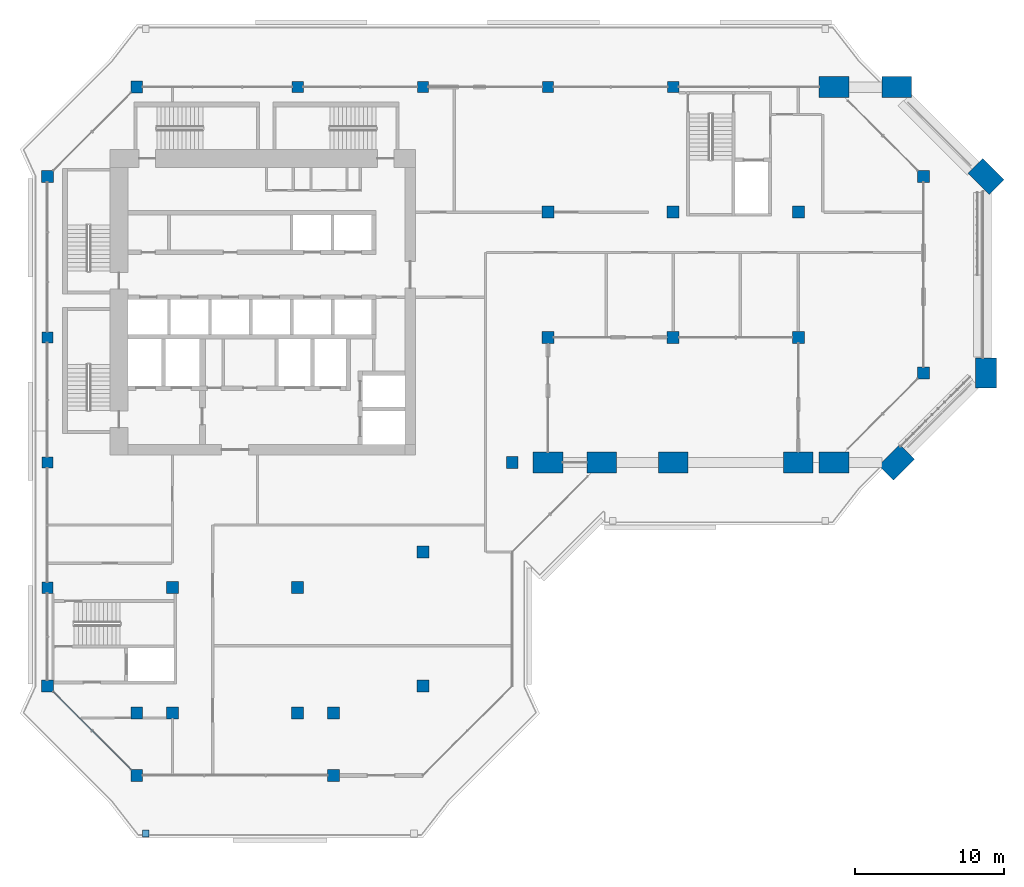
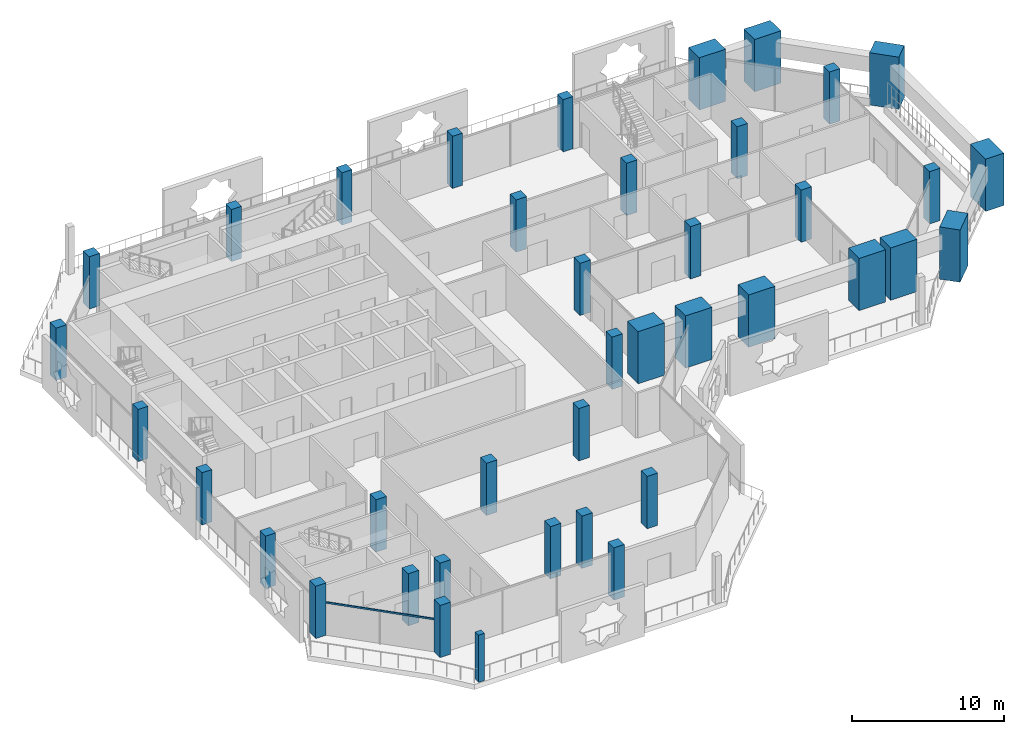
# One storey, part 1 of 20: 39 columns, 2 members, 2 elements without a shape of their own.
"""IFC4 building model written with IfcOpenShell, lengths in metres."""

import ifcopenshell
import ifcopenshell.guid

model = None  # the IFC model being written
_history = None  # IfcOwnerHistory: only IFC2X3 demands one
_inside = {}  # id of a spatial element -> (the spatial element, [elements in it])
_under = {}  # id of a project, library or spatial element -> (it, [spatial elements below it])
_declared = {}  # id of a project -> (the project, [libraries it declares])
_typed = {}  # id of a type object -> (the type object, [elements of that type])
_made_of = {}  # id of a material, layer set ... -> (it, [elements and type objects made of it])


def new_model(schema):
    """Start an empty IFC model of exactly this schema.

    Asked for "IFC4X3", IfcOpenShell would pick the latest addendum, in which some entities
    have other attributes; the version numbers below select the first issue.
    IFC2X3 requires an IfcOwnerHistory on every rooted entity: one is made here for all.
    """
    global model, _history
    if schema == "IFC4X3":
        model = ifcopenshell.file(schema_version=(4, 3, 0, 0))
    else:
        model = ifcopenshell.file(schema=schema)
    _inside.clear()
    _under.clear()
    _declared.clear()
    _typed.clear()
    _made_of.clear()
    _history = None
    if model.schema == "IFC2X3":
        org = make("IfcOrganization", Name="unknown")
        user = make(
            "IfcPersonAndOrganization",
            ThePerson=make("IfcPerson", FamilyName="unknown"),
            TheOrganization=org,
        )
        app = make(
            "IfcApplication",
            ApplicationDeveloper=org,
            Version="unknown",
            ApplicationFullName="unknown",
            ApplicationIdentifier="unknown",
        )
        _history = make(
            "IfcOwnerHistory",
            OwningUser=user,
            OwningApplication=app,
            ChangeAction="ADDED",
            CreationDate=0,
        )
    return model


def make(cls, **values):
    """One entity of the class cls with the attributes given. An attribute that is None is left unset."""
    return model.create_entity(
        cls, **{name: value for name, value in values.items() if value is not None}
    )


def rooted(cls, **values):
    """An entity with a GlobalId (a new one), such as an element, a storey or a relation."""
    return make(cls, GlobalId=ifcopenshell.guid.new(), OwnerHistory=_history, **values)


def si_unit(unit_type, name, prefix=None):
    """IfcSIUnit, for example si_unit("LENGTHUNIT", "METRE", prefix="MILLI")."""
    return make("IfcSIUnit", UnitType=unit_type, Prefix=prefix, Name=name)


def assignment(units):
    """IfcUnitAssignment: the units of a project."""
    return None if units is None else make("IfcUnitAssignment", Units=units)


def point(xyz):
    """IfcCartesianPoint."""
    return None if xyz is None else make("IfcCartesianPoint", Coordinates=xyz)


def direction(xyz):
    """IfcDirection."""
    return None if xyz is None else make("IfcDirection", DirectionRatios=xyz)


def frame(location, z_axis=None, x_axis=None):
    """IfcAxis2Placement3D, a coordinate frame: its origin and axes. An axis left out is left unset."""
    return make(
        "IfcAxis2Placement3D",
        Location=point(location),
        Axis=direction(z_axis),
        RefDirection=direction(x_axis),
    )


def frame_2d(location, x_axis=None):
    """IfcAxis2Placement2D, a coordinate frame in the plane: its origin and x axis."""
    return make(
        "IfcAxis2Placement2D", Location=point(location), RefDirection=direction(x_axis)
    )


def origin():
    """The frame at (0, 0, 0) with its axes left unset."""
    return frame((0.0, 0.0, 0.0))


def origin_2d():
    """The frame at (0, 0) in the plane with its x axis left unset."""
    return frame_2d((0.0, 0.0))


def place(relative_to, where):
    """IfcLocalPlacement: puts the frame where relative to a parent placement (None: the world)."""
    return make(
        "IfcLocalPlacement", PlacementRelTo=relative_to, RelativePlacement=where
    )


def context(
    kind, dimensions, precision=None, world=None, true_north=None, identifier=None
):
    """IfcGeometricRepresentationContext, for example the 3D "Model" context."""
    return make(
        "IfcGeometricRepresentationContext",
        ContextIdentifier=identifier,
        ContextType=kind,
        CoordinateSpaceDimension=dimensions,
        Precision=precision,
        WorldCoordinateSystem=world,
        TrueNorth=true_north,
    )


def subcontext(parent, identifier, kind, view, scale=None):
    """IfcGeometricRepresentationSubContext, for example "Body" below "Model"."""
    return make(
        "IfcGeometricRepresentationSubContext",
        ContextIdentifier=identifier,
        ContextType=kind,
        ParentContext=parent,
        TargetScale=scale,
        TargetView=view,
    )


def project(units=None, contexts=None):
    """IfcProject with its units and contexts."""
    return rooted(
        "IfcProject",
        Name="project",
        RepresentationContexts=contexts,
        UnitsInContext=assignment(units),
    )


def spatial(cls, under=None, at=None, **own):
    """A site, building, storey or space (cls), placed at a placement, below another one or the project."""
    s = rooted(cls, ObjectPlacement=at, **own)
    if under is not None:
        _under.setdefault(under.id(), (under, []))[1].append(s)
    return s


def profile(cls, at=None, kind="AREA", **sizes):
    """A parametric profile (cls). Its sizes go by their IFC names, for example OverallWidth=200.0."""
    return make(cls, ProfileType=kind, Position=at, **sizes)


def rectangle(**sizes):
    """IfcRectangleProfileDef."""
    return profile("IfcRectangleProfileDef", **sizes)


def extrude(swept, where, along, depth):
    """IfcExtrudedAreaSolid: the profile swept, set in the frame where, extruded along a direction by depth."""
    return make(
        "IfcExtrudedAreaSolid",
        SweptArea=swept,
        Position=where,
        ExtrudedDirection=direction(along),
        Depth=depth,
    )


def shape(context_of_items, identifier, shape_type, items):
    """IfcShapeRepresentation: the items that make up one representation, for example the "Body"."""
    return make(
        "IfcShapeRepresentation",
        ContextOfItems=context_of_items,
        RepresentationIdentifier=identifier,
        RepresentationType=shape_type,
        Items=items,
    )


def material(Name=None, Category=None):
    """IfcMaterial."""
    return make("IfcMaterial", Name=Name, Category=Category)


def layer(
    of_material, thickness, ventilated=None, Name=None, Category=None, Priority=None
):
    """IfcMaterialLayer: one layer of a wall or slab, of a material (None: an air gap)."""
    return make(
        "IfcMaterialLayer",
        Material=of_material,
        LayerThickness=thickness,
        IsVentilated=ventilated,
        Name=Name,
        Category=Category,
        Priority=Priority,
    )


def layer_set(layers, Name=None):
    """IfcMaterialLayerSet."""
    return make("IfcMaterialLayerSet", MaterialLayers=layers, LayerSetName=Name)


def material_profile(
    of_material, cross_section, Name=None, Category=None, Priority=None
):
    """IfcMaterialProfile: a cross section and its material."""
    return make(
        "IfcMaterialProfile",
        Name=Name,
        Material=of_material,
        Profile=cross_section,
        Priority=Priority,
        Category=Category,
    )


def profile_set(profiles, Name=None, composite=None):
    """IfcMaterialProfileSet."""
    return make(
        "IfcMaterialProfileSet",
        Name=Name,
        MaterialProfiles=profiles,
        CompositeProfile=composite,
    )


def made_of(thing, what):
    """Note that an element or type object is made of a material, layer set ...; save() writes the relation."""
    if what is not None:
        _made_of.setdefault(what.id(), (what, []))[1].append(thing)
    return thing


def type_object(cls, material=None, **own):
    """A type object (cls), such as IfcWallType, which elements share."""
    return made_of(rooted(cls, **own), material)


def element(
    cls,
    number,
    at=None,
    inside=None,
    cuts=None,
    type_object=None,
    material=None,
    context=None,
    identifier="Body",
    shape_type=None,
    held_by="IfcProductDefinitionShape",
    body=None,
    shapes=None,
    **own,
):
    """One element of the class cls, such as IfcWall. Its Tag is "e" and its number.

    at: its placement. inside: the storey or other place that contains it. cuts: it is an
    opening in that element (IfcRelVoidsElement). A single representation is given by context,
    identifier, shape_type and body (its items); several are given by shapes. held_by: the class
    of the entity that holds the representations. save() writes the other relations.
    """
    e = rooted(cls, Tag="e%d" % number, ObjectPlacement=at, **own)
    if body is not None:
        shapes = [shape(context, identifier, shape_type, body)]
    if shapes is not None:
        e.Representation = make(held_by, Representations=shapes)
    if inside is not None:
        _inside.setdefault(inside.id(), (inside, []))[1].append(e)
    if cuts is not None:
        rooted(
            "IfcRelVoidsElement", RelatingBuildingElement=cuts, RelatedOpeningElement=e
        )
    if type_object is not None:
        _typed.setdefault(type_object.id(), (type_object, []))[1].append(e)
    return made_of(e, material)


def aggregate(whole, parts):
    """IfcRelAggregates: a whole, such as a stair, and the parts it consists of."""
    return rooted("IfcRelAggregates", RelatingObject=whole, RelatedObjects=parts)


def save(model, path):
    """Write the relations noted so far, then the file.

    IfcRelAggregates (storeys below a building ...), IfcRelContainedInSpatialStructure (elements
    in a storey), IfcRelDefinesByType, IfcRelAssociatesMaterial and IfcRelDeclares: one each for
    every whole, place, type object, material and project.
    """
    for whole, parts in _under.values():
        aggregate(whole, parts)
    for where, things in _inside.values():
        rooted(
            "IfcRelContainedInSpatialStructure",
            RelatedElements=things,
            RelatingStructure=where,
        )
    for kind, things in _typed.values():
        rooted("IfcRelDefinesByType", RelatedObjects=things, RelatingType=kind)
    for what, things in _made_of.values():
        rooted("IfcRelAssociatesMaterial", RelatedObjects=things, RelatingMaterial=what)
    for by, libraries in _declared.values():
        rooted("IfcRelDeclares", RelatingContext=by, RelatedDefinitions=libraries)
    model.write(path)


model = new_model("IFC4")

# Units and contexts
model_context = context("Model", 3, precision=1e-05, world=origin(), true_north=direction((0.0, 1.0)))
body_context = subcontext(model_context, "Body", "Model", "MODEL_VIEW")
ifc_project = project(units=[si_unit("LENGTHUNIT", "METRE"), si_unit("AREAUNIT", "SQUARE_METRE"), si_unit("VOLUMEUNIT", "CUBIC_METRE"), si_unit("PLANEANGLEUNIT", "RADIAN"), si_unit("MASSUNIT", "GRAM", prefix="KILO")], contexts=[model_context])

# Site, building, storey
site_placement = place(None, origin())
site = spatial("IfcSite", under=ifc_project, at=site_placement, CompositionType="ELEMENT")
building_placement = place(site_placement, origin())
building = spatial("IfcBuilding", under=site, at=building_placement, Name="Kawkab Arch Medical Tower", CompositionType="ELEMENT")
storey_placement = place(building_placement, frame((0.0, 0.0, 277.60009765625)))
storey = spatial("IfcBuildingStorey", under=building, at=storey_placement, Name="L64", CompositionType="ELEMENT", Elevation=277.60009765625)

# Columns
ifc_material_1 = material(Name="Concrete C40/50", Category="concrete")
ifc_material_profile_1 = material_profile(ifc_material_1, rectangle(XDim=2.0, YDim=1.39990234375, at=origin_2d()), Name="RC 2000x1400")
ifc_profile_set_1 = profile_set([ifc_material_profile_1], Name="Concrete C40/50")
column_type_1 = type_object("IfcColumnType", Name="RC 2000x1400 column C40/50", PredefinedType="COLUMN", material=ifc_profile_set_1)
for number, where, z_axis, x_axis, name in (
    (1, (52.800048828125, 0.0, 0.0), (0.0, 0.0, 1.0), (1.0, 0.0, 0.0), "Column RC 2000x1400"),
    (2, (42.0, -25.199951171875, 0.0), (0.0, 0.0, 1.0), (-1.0, 0.0, 0.0), "Column RC 2000x1400"),
    (3, (52.800048828125, -25.199951171875, 0.0), (0.0, 0.0, 1.0), (-1.0, 0.0, 0.0), "Column RC 2000x1400"),
    (4, (50.39990234375, -25.199951171875, 0.0), (0.0, 0.0, 1.0), (-1.0, 0.0, 0.0), "Column RC 2000x1400"),
    (5, (37.199951171875, -25.199951171875, 0.0), (0.0, 0.0, 1.0), (-1.0, 0.0, 0.0), "Column RC 2000x1400"),
    (6, (33.60009765625, -25.199951171875, 0.0), (0.0, 0.0, 1.0), (-1.0, 0.0, 0.0), "Column RC 2000x1400"),
    (7, (57.0, 0.0, 0.0), (0.0, 0.0, 1.0), (1.0, 0.0, 0.0), "Column RC 2000x1400"),
    (8, (63.0, -6.0, 0.0), (0.0, 0.0, 1.0), (0.707106781187, -0.707106781187, 0.0), "Column RC 2000x1400"),
    (9, (63.0, -19.199951171875, 0.0), (0.0, 0.0, 1.0), (0.0, -1.0, 0.0), "Column RC 2000x1400"),
    (10, (57.0, -25.199951171875, 0.0), (0.0, 0.0, 1.0), (-0.707106781187, -0.707106781187, 0.0), "Column RC 2000x1400"),
):
    element("IfcColumn", number, at=place(storey_placement, frame(where, z_axis=z_axis, x_axis=x_axis)), inside=storey, type_object=column_type_1, Name=name, PredefinedType="COLUMN", context=body_context, shape_type="SweptSolid", body=[
        extrude(rectangle(XDim=2.0, YDim=1.39990234375, at=origin_2d()), origin(), (0.0, 0.0, 1.0), 4.199951171875),
    ])
ifc_material_2 = material(Name="Concrete C40/50", Category="concrete")
ifc_material_profile_2 = material_profile(ifc_material_2, rectangle(XDim=0.75, YDim=0.75, at=origin_2d()), Name="RC 750x750")
ifc_profile_set_2 = profile_set([ifc_material_profile_2], Name="Concrete C40/50")
column_type_2 = type_object("IfcColumnType", Name="RC 750x750 column C40/50", PredefinedType="COLUMN", material=ifc_profile_set_2)
for number, where, z_axis, x_axis, name in (
    (11, (16.800048828125, 0.0, 0.0), (0.0, 0.0, 1.0), (1.0, 0.0, 0.0), "Column RC 750x750"),
    (12, (25.199951171875, 0.0, 0.0), (0.0, 0.0, 1.0), (1.0, 0.0, 0.0), "Column RC 750x750"),
    (13, (33.60009765625, 0.0, 0.0), (0.0, 0.0, 1.0), (1.0, 0.0, 0.0), "Column RC 750x750"),
    (14, (42.0, 0.0, 0.0), (0.0, 0.0, 1.0), (1.0, 0.0, 0.0), "Column RC 750x750"),
    (15, (0.0, -16.800048828125, 0.0), (0.0, 0.0, 1.0), (1.0, 0.0, 0.0), "Column RC 750x750"),
    (16, (0.0, -25.199951171875, 0.0), (0.0, 0.0, 1.0), (1.0, 0.0, 0.0), "Column RC 750x750"),
    (17, (0.0, -33.60009765625, 0.0), (0.0, 0.0, 1.0), (1.0, 0.0, 0.0), "Column RC 750x750"),
):
    element("IfcColumn", number, at=place(storey_placement, frame(where, z_axis=z_axis, x_axis=x_axis)), inside=storey, type_object=column_type_2, Name=name, PredefinedType="COLUMN", context=body_context, shape_type="SweptSolid", body=[
        extrude(rectangle(XDim=0.75, YDim=0.75, at=origin_2d()), origin(), (0.0, 0.0, 1.0), 4.199951171875),
    ])
ifc_material_3 = material(Name="Concrete C40/50", Category="concrete")
ifc_material_profile_3 = material_profile(ifc_material_3, rectangle(XDim=0.800048828125, YDim=0.800048828125, at=origin_2d()), Name="RC 800x800")
ifc_profile_set_3 = profile_set([ifc_material_profile_3], Name="Concrete C40/50")
column_type_3 = type_object("IfcColumnType", Name="RC 800x800 column C40/50", PredefinedType="COLUMN", material=ifc_profile_set_3)
for number, where, z_axis, x_axis, name in (
    (18, (6.0, 0.0, 0.0), (0.0, 0.0, 1.0), (1.0, 0.0, 0.0), "Column RC 800x800"),
    (19, (0.0, -6.0, 0.0), (0.0, 0.0, 1.0), (1.0, 0.0, 0.0), "Column RC 800x800"),
    (20, (58.800048828125, -6.0, 0.0), (0.0, 0.0, 1.0), (1.0, 0.0, 0.0), "Column RC 800x800"),
    (21, (33.60009765625, -8.39990234375, 0.0), (0.0, 0.0, 1.0), (1.0, 0.0, 0.0), "Column RC 800x800"),
    (22, (42.0, -8.39990234375, 0.0), (0.0, 0.0, 1.0), (1.0, 0.0, 0.0), "Column RC 800x800"),
    (23, (50.39990234375, -8.39990234375, 0.0), (0.0, 0.0, 1.0), (1.0, 0.0, 0.0), "Column RC 800x800"),
    (24, (33.60009765625, -16.800048828125, 0.0), (0.0, 0.0, 1.0), (1.0, 0.0, 0.0), "Column RC 800x800"),
    (25, (42.0, -16.800048828125, 0.0), (0.0, 0.0, 1.0), (1.0, 0.0, 0.0), "Column RC 800x800"),
    (26, (50.39990234375, -16.800048828125, 0.0), (0.0, 0.0, 1.0), (1.0, 0.0, 0.0), "Column RC 800x800"),
    (27, (58.800048828125, -19.199951171875, 0.0), (0.0, 0.0, 1.0), (1.0, 0.0, 0.0), "Column RC 800x800"),
    (28, (31.199951171875, -25.199951171875, 0.0), (0.0, 0.0, 1.0), (1.0, 0.0, 0.0), "Column RC 800x800"),
    (29, (25.199951171875, -31.199951171875, 0.0), (0.0, 0.0, 1.0), (1.0, 0.0, 0.0), "Column RC 800x800"),
    (30, (8.39990234375, -33.60009765625, 0.0), (0.0, 0.0, 1.0), (1.0, 0.0, 0.0), "Column RC 800x800"),
    (31, (16.800048828125, -33.60009765625, 0.0), (0.0, 0.0, 1.0), (1.0, 0.0, 0.0), "Column RC 800x800"),
    (32, (0.0, -40.199951171875, 0.0), (0.0, 0.0, 1.0), (1.0, 0.0, 0.0), "Column RC 800x800"),
    (33, (25.199951171875, -40.199951171875, 0.0), (0.0, 0.0, 1.0), (1.0, 0.0, 0.0), "Column RC 800x800"),
    (34, (6.0, -42.0, 0.0), (0.0, 0.0, 1.0), (1.0, 0.0, 0.0), "Column RC 800x800"),
    (35, (8.39990234375, -42.0, 0.0), (0.0, 0.0, 1.0), (1.0, 0.0, 0.0), "Column RC 800x800"),
    (36, (16.800048828125, -42.0, 0.0), (0.0, 0.0, 1.0), (1.0, 0.0, 0.0), "Column RC 800x800"),
    (37, (19.199951171875, -42.0, 0.0), (0.0, 0.0, 1.0), (1.0, 0.0, 0.0), "Column RC 800x800"),
    (38, (6.0, -46.199951171875, 0.0), (0.0, 0.0, 1.0), (1.0, 0.0, 0.0), "Column RC 800x800"),
    (39, (19.199951171875, -46.199951171875, 0.0), (0.0, 0.0, 1.0), (1.0, 0.0, 0.0), "Column RC 800x800"),
):
    element("IfcColumn", number, at=place(storey_placement, frame(where, z_axis=z_axis, x_axis=x_axis)), inside=storey, type_object=column_type_3, Name=name, PredefinedType="COLUMN", context=body_context, shape_type="SweptSolid", body=[
        extrude(rectangle(XDim=0.800048828125, YDim=0.800048828125, at=origin_2d()), origin(), (0.0, 0.0, 1.0), 4.199951171875),
    ])

# Curtain wall, member
ifc_material_4 = material(Name="Bronze anodised aluminium curtain wall frame", Category="aluminium")
ifc_layer_1 = layer(ifc_material_4, 0.159912109375)
ifc_layer_set_1 = layer_set([ifc_layer_1], Name="Bronze anodised aluminium curtain wall frame")
curtain_wall_type_1 = type_object("IfcCurtainWallType", Name="CW2 chamfer curtain wall", PredefinedType="NOTDEFINED", material=ifc_layer_set_1)
placement = place(storey_placement, origin())
curtain_wall_1 = element("IfcCurtainWall", 40, at=placement, inside=storey, type_object=curtain_wall_type_1, Name="CW2 Chamfer curtain wall R13", PredefinedType="NOTDEFINED")
ifc_material_5 = material(Name="Bronze anodised aluminium curtain wall frame", Category="aluminium")
ifc_material_profile_4 = material_profile(ifc_material_5, rectangle(XDim=0.06005859375, YDim=0.139892578125, at=origin_2d()), Name="AL 60x140")
ifc_profile_set_4 = profile_set([ifc_material_profile_4], Name="Bronze anodised aluminium curtain wall frame")
member_type_1 = type_object("IfcMemberType", Name="CW2 transom 140 x 60", PredefinedType="USERDEFINED", material=ifc_profile_set_4)
member_1_placement = place(storey_placement, frame((0.39990234375, -40.60009765625, 2.6298828125), z_axis=(0.707123380132, -0.707090181851, 0.0), x_axis=(0.707090181851, 0.707123380132, 0.0)))
member_1 = element("IfcMember", 41, at=member_1_placement, type_object=member_type_1, Name="CW2 transom 1", ObjectType="TRANSOM", PredefinedType="USERDEFINED", context=body_context, shape_type="SweptSolid", body=[
    extrude(rectangle(XDim=0.06005859375, YDim=0.139892578125, at=origin_2d()), origin(), (0.0, 0.0, 1.0), 7.35400390625),
])
aggregate(curtain_wall_1, [member_1])

ifc_material_6 = material(Name="Bronze anodised aluminium climber frame, planted", Category="aluminium")
ifc_layer_2 = layer(ifc_material_6, 0.449951171875)
ifc_layer_set_2 = layer_set([ifc_layer_2], Name="Bronze anodised aluminium climber frame, planted")
curtain_wall_type_2 = type_object("IfcCurtainWallType", Name="Planted climber frame", PredefinedType="NOTDEFINED", material=ifc_layer_set_2)
curtain_wall_2 = element("IfcCurtainWall", 42, at=placement, inside=storey, type_object=curtain_wall_type_2, Name="Planted climber frame L64", PredefinedType="NOTDEFINED")
ifc_material_7 = material(Name="Bronze anodised aluminium climber frame, planted", Category="aluminium")
ifc_material_profile_5 = material_profile(ifc_material_7, rectangle(XDim=0.449951171875, YDim=0.449951171875, at=origin_2d()), Name="Post 450x450")
ifc_profile_set_5 = profile_set([ifc_material_profile_5], Name="Bronze anodised aluminium climber frame, planted")
member_type_2 = type_object("IfcMemberType", Name="Planted climber post 450 x 450", PredefinedType="MULLION", material=ifc_profile_set_5)
member_2_placement = place(storey_placement, frame((6.596923828125, -50.10009765625, 0.0), z_axis=(0.0, 0.0, 1.0), x_axis=(1.0, 0.0, 0.0)))
member_2 = element("IfcMember", 43, at=member_2_placement, type_object=member_type_2, Name="Planted climber post L64.LOG-01-01.4", PredefinedType="MULLION", context=body_context, shape_type="SweptSolid", body=[
    extrude(rectangle(XDim=0.449951171875, YDim=0.449951171875, at=origin_2d()), origin(), (0.0, 0.0, 1.0), 3.7998046875),
])
aggregate(curtain_wall_2, [member_2])

save(model, "model.ifc")
